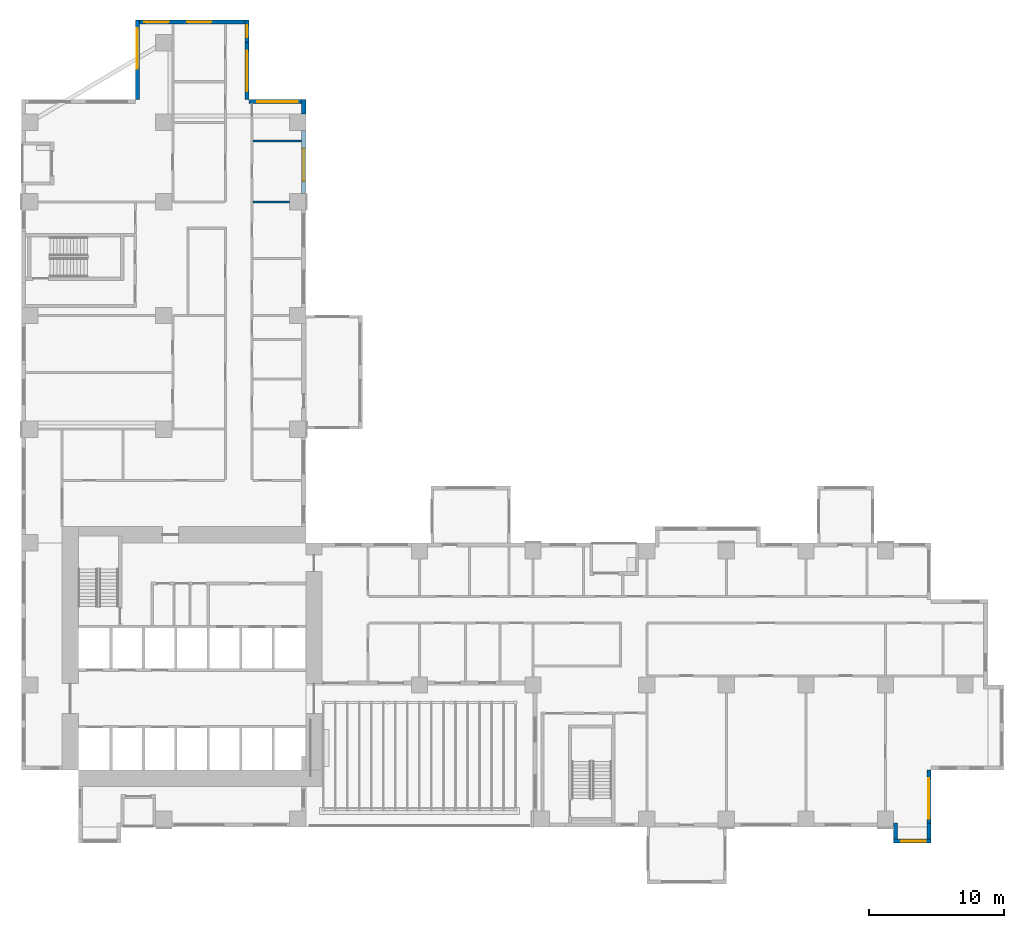
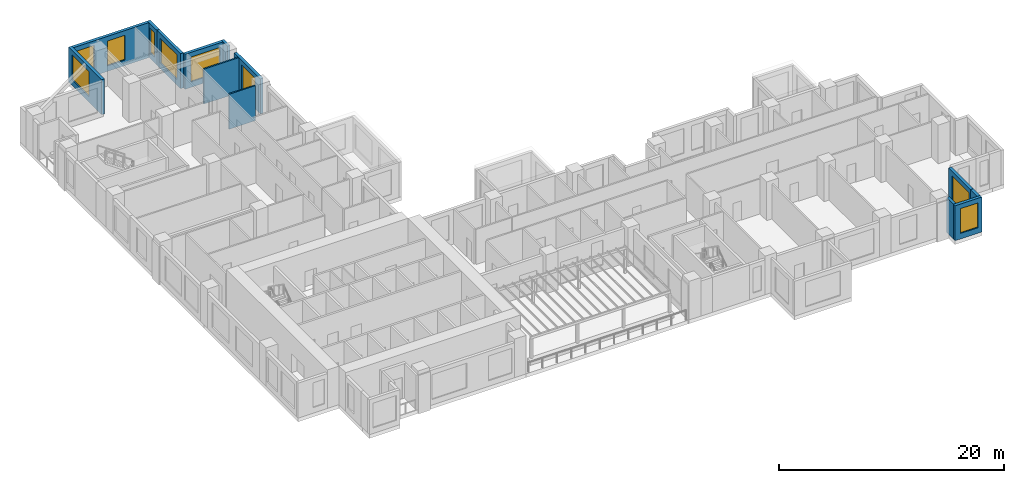
# One storey, part 10 of 16: 13 walls, 9 windows, 9 openings.
"""IFC4 building model written with IfcOpenShell, lengths in metres."""

from ifc_helpers import new_model, si_unit, direction, frame, frame_2d, origin, place, context, subcontext, project, spatial, rectangle, extrude, source, transform, mapped, material, layer, layer_set, type_object, element, fill, save


model = new_model("IFC4")

# Units and contexts
model_context = context("Model", 3, precision=1e-05, world=origin(), true_north=direction((0.0, 1.0)))
body_context = subcontext(model_context, "Body", "Model", "MODEL_VIEW")
ifc_project = project(units=[si_unit("LENGTHUNIT", "METRE"), si_unit("AREAUNIT", "SQUARE_METRE"), si_unit("VOLUMEUNIT", "CUBIC_METRE"), si_unit("PLANEANGLEUNIT", "RADIAN"), si_unit("MASSUNIT", "GRAM", prefix="KILO")], contexts=[model_context])

# Site, building, storey
site_placement = place(None, origin())
site = spatial("IfcSite", under=ifc_project, at=site_placement, CompositionType="ELEMENT")
building_placement = place(site_placement, origin())
building = spatial("IfcBuilding", under=site, at=building_placement, Name="Aurelian Terraces", CompositionType="ELEMENT")
storey_placement = place(building_placement, frame((0.0, 0.0, 95.1)))
storey = spatial("IfcBuildingStorey", under=building, at=storey_placement, Name="L20", CompositionType="ELEMENT", Elevation=95.1)

# Wall, opening, window
ifc_material_1 = material(Name="Terracotta rainscreen cladding", Category="masonry")
ifc_layer_1 = layer(ifc_material_1, 0.3)
ifc_layer_set_1 = layer_set([ifc_layer_1], Name="EW-300")
wall_type_1 = type_object("IfcWallType", Name="EW-300", PredefinedType="STANDARD", material=ifc_layer_set_1)
shared_shape_1 = source(origin(), body_context, "Body", "SweptSolid", [
    extrude(rectangle(XDim=4.68, YDim=0.3, at=frame_2d((2.34, 0.0))), origin(), (0.0, 0.0, 1.0), 3.8),
])
wall_1_placement = place(storey_placement, frame((20.85, 46.8, 0.0), z_axis=(0.0, 0.0, 1.0), x_axis=(0.0, 1.0, 0.0)))
wall_1 = element("IfcWall", 1, at=wall_1_placement, inside=storey, type_object=wall_type_1, Name="External wall L20 F12.28", PredefinedType="STANDARD", context=body_context, shape_type="MappedRepresentation", body=[
    mapped(shared_shape_1, transform((0.0, 0.0, 0.0), scale=1.0)),
])
shared_shape_2 = source(origin(), body_context, "Body", "SweptSolid", [
    extrude(rectangle(XDim=2.4, YDim=2.7, at=frame_2d((1.2, 1.35))), frame((0.0, 0.16, 0.0), z_axis=(0.0, -1.0, 0.0), x_axis=(1.0, 0.0, 0.0)), (0.0, 0.0, 1.0), 0.32),
])
opening_1_placement = place(wall_1_placement, frame((0.9365, 0.0, 0.6)))
opening_1 = element("IfcOpeningElement", 2, at=opening_1_placement, cuts=wall_1, Name="Opening W2427", PredefinedType="OPENING", context=body_context, shape_type="MappedRepresentation", body=[
    mapped(shared_shape_2, transform((0.0, 0.0, 0.0), scale=1.0)),
])
ifc_material_2 = material(Name="Clear glazing", Category="glass")
window_type_1 = type_object("IfcWindowType", Name="W-2400x2700", PartitioningType="SINGLE_PANEL", PredefinedType="WINDOW", material=ifc_material_2)
shared_shape_3 = source(origin(), body_context, "Body", "SweptSolid", [
    extrude(rectangle(XDim=2.4, YDim=2.7, at=frame_2d((1.2, 1.35))), frame((0.0, 0.03, 0.0), z_axis=(0.0, -1.0, 0.0), x_axis=(1.0, 0.0, 0.0)), (0.0, 0.0, 1.0), 0.06),
])
window_1_placement = place(opening_1_placement, origin())
window_1 = element("IfcWindow", 3, at=window_1_placement, inside=storey, type_object=window_type_1, Name="Window L20 L20-F12-28-0", OverallHeight=2.7, OverallWidth=2.4, PartitioningType="SINGLE_PANEL", PredefinedType="WINDOW", context=body_context, shape_type="MappedRepresentation", body=[
    mapped(shared_shape_3, transform((0.0, 0.0, 0.0), scale=1.0)),
])
fill(opening_1, window_1)

shared_shape_4 = source(origin(), body_context, "Body", "SweptSolid", [
    extrude(rectangle(XDim=4.2, YDim=0.3, at=frame_2d((2.1, 0.0))), origin(), (0.0, 0.0, 1.0), 3.8),
])
wall_2_placement = place(storey_placement, frame((67.05, 0.0, 0.0), z_axis=(0.0, 0.0, 1.0), x_axis=(0.0, 1.0, 0.0)))
wall_2 = element("IfcWall", 4, at=wall_2_placement, inside=storey, type_object=wall_type_1, Name="External wall L20 F06.14", PredefinedType="STANDARD", context=body_context, shape_type="MappedRepresentation", body=[
    mapped(shared_shape_4, transform((0.0, 0.0, 0.0), scale=1.0)),
])
shared_shape_5 = source(origin(), body_context, "Body", "SweptSolid", [
    extrude(rectangle(XDim=3.0, YDim=2.7, at=frame_2d((1.5, 1.35))), frame((0.0, 0.16, 0.0), z_axis=(0.0, -1.0, 0.0), x_axis=(1.0, 0.0, 0.0)), (0.0, 0.0, 1.0), 0.32),
])
opening_2_placement = place(wall_2_placement, frame((0.6, 0.0, 0.6)))
opening_2 = element("IfcOpeningElement", 5, at=opening_2_placement, cuts=wall_2, Name="Opening W3027", PredefinedType="OPENING", context=body_context, shape_type="MappedRepresentation", body=[
    mapped(shared_shape_5, transform((0.0, 0.0, 0.0), scale=1.0)),
])
window_type_2 = type_object("IfcWindowType", Name="W-3000x2700", PartitioningType="SINGLE_PANEL", PredefinedType="WINDOW", material=ifc_material_2)
shared_shape_6 = source(origin(), body_context, "Body", "SweptSolid", [
    extrude(rectangle(XDim=3.0, YDim=2.7, at=frame_2d((1.5, 1.35))), frame((0.0, 0.03, 0.0), z_axis=(0.0, -1.0, 0.0), x_axis=(1.0, 0.0, 0.0)), (0.0, 0.0, 1.0), 0.06),
])
window_2_placement = place(opening_2_placement, origin())
window_2 = element("IfcWindow", 6, at=window_2_placement, inside=storey, type_object=window_type_2, Name="Window L20 L20-F06-14-0", OverallHeight=2.7, OverallWidth=3.0, PartitioningType="SINGLE_PANEL", PredefinedType="WINDOW", context=body_context, shape_type="MappedRepresentation", body=[
    mapped(shared_shape_6, transform((0.0, 0.0, 0.0), scale=1.0)),
])
fill(opening_2, window_2)

wall_3_placement = place(storey_placement, frame((21.0, 53.61, 0.0), z_axis=(0.0, 0.0, 1.0), x_axis=(-1.0, 0.0, 0.0)))
wall_3 = element("IfcWall", 7, at=wall_3_placement, inside=storey, type_object=wall_type_1, Name="External wall L20 F13.30", PredefinedType="STANDARD", context=body_context, shape_type="MappedRepresentation", body=[
    mapped(shared_shape_4, transform((0.0, 0.0, 0.0), scale=1.0)),
])
opening_3_placement = place(wall_3_placement, frame((0.6, 0.0, 0.6)))
opening_3 = element("IfcOpeningElement", 8, at=opening_3_placement, cuts=wall_3, Name="Opening W3027", PredefinedType="OPENING", context=body_context, shape_type="MappedRepresentation", body=[
    mapped(shared_shape_5, transform((0.0, 0.0, 0.0), scale=1.0)),
])
window_3_placement = place(opening_3_placement, origin())
window_3 = element("IfcWindow", 9, at=window_3_placement, inside=storey, type_object=window_type_2, Name="Window L20 L20-F13-30-0", OverallHeight=2.7, OverallWidth=3.0, PartitioningType="SINGLE_PANEL", PredefinedType="WINDOW", context=body_context, shape_type="MappedRepresentation", body=[
    mapped(shared_shape_6, transform((0.0, 0.0, 0.0), scale=1.0)),
])
fill(opening_3, window_3)

wall_4_placement = place(storey_placement, frame((16.65, 53.76, 0.0), z_axis=(0.0, 0.0, 1.0), x_axis=(0.0, 1.0, 0.0)))
wall_4 = element("IfcWall", 10, at=wall_4_placement, inside=storey, type_object=wall_type_1, Name="External wall L20 F14.31", PredefinedType="STANDARD", context=body_context, shape_type="MappedRepresentation", body=[
    mapped(shared_shape_4, transform((0.0, 0.0, 0.0), scale=1.0)),
])
opening_4_placement = place(wall_4_placement, frame((0.6, 0.0, 0.6)))
opening_4 = element("IfcOpeningElement", 11, at=opening_4_placement, cuts=wall_4, Name="Opening W3027", PredefinedType="OPENING", context=body_context, shape_type="MappedRepresentation", body=[
    mapped(shared_shape_5, transform((0.0, 0.0, 0.0), scale=1.0)),
])
window_4_placement = place(opening_4_placement, origin())
window_4 = element("IfcWindow", 12, at=window_4_placement, inside=storey, type_object=window_type_2, Name="Window L20 L20-F14-31-0", OverallHeight=2.7, OverallWidth=3.0, PartitioningType="SINGLE_PANEL", PredefinedType="WINDOW", context=body_context, shape_type="MappedRepresentation", body=[
    mapped(shared_shape_6, transform((0.0, 0.0, 0.0), scale=1.0)),
])
fill(opening_4, window_4)

shared_shape_7 = source(origin(), body_context, "Body", "SweptSolid", [
    extrude(rectangle(XDim=2.76, YDim=0.3, at=frame_2d((1.38, 0.0))), origin(), (0.0, 0.0, 1.0), 3.8),
])
wall_5_placement = place(storey_placement, frame((64.44, -1.05, 0.0), z_axis=(0.0, 0.0, 1.0), x_axis=(1.0, 0.0, 0.0)))
wall_5 = element("IfcWall", 13, at=wall_5_placement, inside=storey, type_object=wall_type_1, Name="Bay wall L20 F05.13", PredefinedType="STANDARD", context=body_context, shape_type="MappedRepresentation", body=[
    mapped(shared_shape_7, transform((0.0, 0.0, 0.0), scale=1.0)),
])
shared_shape_8 = source(origin(), body_context, "Body", "SweptSolid", [
    extrude(rectangle(XDim=1.8, YDim=2.7, at=frame_2d((0.9, 1.35))), frame((0.0, 0.16, 0.0), z_axis=(0.0, -1.0, 0.0), x_axis=(1.0, 0.0, 0.0)), (0.0, 0.0, 1.0), 0.32),
])
opening_5_placement = place(wall_5_placement, frame((0.58, 0.0, 0.6)))
opening_5 = element("IfcOpeningElement", 14, at=opening_5_placement, cuts=wall_5, Name="Opening W1827", PredefinedType="OPENING", context=body_context, shape_type="MappedRepresentation", body=[
    mapped(shared_shape_8, transform((0.0, 0.0, 0.0), scale=1.0)),
])
window_type_3 = type_object("IfcWindowType", Name="W-1800x2700", PartitioningType="SINGLE_PANEL", PredefinedType="WINDOW", material=ifc_material_2)
shared_shape_9 = source(origin(), body_context, "Body", "SweptSolid", [
    extrude(rectangle(XDim=1.8, YDim=2.7, at=frame_2d((0.9, 1.35))), frame((0.0, 0.03, 0.0), z_axis=(0.0, -1.0, 0.0), x_axis=(1.0, 0.0, 0.0)), (0.0, 0.0, 1.0), 0.06),
])
window_5_placement = place(opening_5_placement, origin())
window_5 = element("IfcWindow", 15, at=window_5_placement, inside=storey, type_object=window_type_3, Name="Window L20 L20-F05-13-0", OverallHeight=2.7, OverallWidth=1.8, PartitioningType="SINGLE_PANEL", PredefinedType="WINDOW", context=body_context, shape_type="MappedRepresentation", body=[
    mapped(shared_shape_9, transform((0.0, 0.0, 0.0), scale=1.0)),
])
fill(opening_5, window_5)

# Walls
shared_shape_10 = source(origin(), body_context, "Body", "SweptSolid", [
    extrude(rectangle(XDim=1.2, YDim=0.3, at=frame_2d((0.6, 0.0))), origin(), (0.0, 0.0, 1.0), 3.8),
])
for number, where, z_axis, x_axis, name in (
    (16, (64.59, 0.3, 0.0), (0.0, 0.0, 1.0), (0.0, -1.0, 0.0), "Bay return L20 F05.13.1"),
    (17, (67.05, 0.3, 0.0), (0.0, 0.0, 1.0), (0.0, -1.0, 0.0), "Bay return L20 F05.13.2"),
):
    element("IfcWall", number, at=place(storey_placement, frame(where, z_axis=z_axis, x_axis=x_axis)), inside=storey, type_object=wall_type_1, Name=name, PredefinedType="STANDARD", context=body_context, shape_type="MappedRepresentation", body=[
        mapped(shared_shape_10, transform((0.0, 0.0, 0.0), scale=1.0)),
    ])

# Wall, opening, window
shared_shape_11 = source(origin(), body_context, "Body", "SweptSolid", [
    extrude(rectangle(XDim=5.88, YDim=0.3, at=frame_2d((2.94, 0.0))), origin(), (0.0, 0.0, 1.0), 3.8),
])
wall_6_placement = place(storey_placement, frame((8.55, 59.64, 0.0), z_axis=(0.0, 0.0, 1.0), x_axis=(0.0, -1.0, 0.0)))
wall_6 = element("IfcWall", 18, at=wall_6_placement, inside=storey, type_object=wall_type_1, Name="External wall L20 F16.34", PredefinedType="STANDARD", context=body_context, shape_type="MappedRepresentation", body=[
    mapped(shared_shape_11, transform((0.0, 0.0, 0.0), scale=1.0)),
])
opening_6_placement = place(wall_6_placement, frame((0.6, 0.0, 0.6)))
opening_6 = element("IfcOpeningElement", 19, at=opening_6_placement, cuts=wall_6, Name="Opening W3027", PredefinedType="OPENING", context=body_context, shape_type="MappedRepresentation", body=[
    mapped(shared_shape_5, transform((0.0, 0.0, 0.0), scale=1.0)),
])
window_6_placement = place(opening_6_placement, origin())
window_6 = element("IfcWindow", 20, at=window_6_placement, inside=storey, type_object=window_type_2, Name="Window L20 L20-F16-34-0", OverallHeight=2.7, OverallWidth=3.0, PartitioningType="SINGLE_PANEL", PredefinedType="WINDOW", context=body_context, shape_type="MappedRepresentation", body=[
    mapped(shared_shape_6, transform((0.0, 0.0, 0.0), scale=1.0)),
])
fill(opening_6, window_6)

shared_shape_12 = source(origin(), body_context, "Body", "SweptSolid", [
    extrude(rectangle(XDim=1.68, YDim=0.3, at=frame_2d((0.84, 0.0))), origin(), (0.0, 0.0, 1.0), 3.8),
])
wall_7_placement = place(storey_placement, frame((16.65, 57.96, 0.0), z_axis=(0.0, 0.0, 1.0), x_axis=(0.0, 1.0, 0.0)))
wall_7 = element("IfcWall", 21, at=wall_7_placement, inside=storey, type_object=wall_type_1, Name="External wall L20 F14.32", PredefinedType="STANDARD", context=body_context, shape_type="MappedRepresentation", body=[
    mapped(shared_shape_12, transform((0.0, 0.0, 0.0), scale=1.0)),
])
shared_shape_13 = source(origin(), body_context, "Body", "SweptSolid", [
    extrude(rectangle(XDim=0.9, YDim=2.7, at=frame_2d((0.45, 1.35))), frame((0.0, 0.16, 0.0), z_axis=(0.0, -1.0, 0.0), x_axis=(1.0, 0.0, 0.0)), (0.0, 0.0, 1.0), 0.32),
])
opening_7_placement = place(wall_7_placement, frame((0.39, 0.0, 0.6)))
opening_7 = element("IfcOpeningElement", 22, at=opening_7_placement, cuts=wall_7, Name="Opening W0927", PredefinedType="OPENING", context=body_context, shape_type="MappedRepresentation", body=[
    mapped(shared_shape_13, transform((0.0, 0.0, 0.0), scale=1.0)),
])
window_type_4 = type_object("IfcWindowType", Name="W-900x2700", PartitioningType="SINGLE_PANEL", PredefinedType="WINDOW", material=ifc_material_2)
shared_shape_14 = source(origin(), body_context, "Body", "SweptSolid", [
    extrude(rectangle(XDim=0.9, YDim=2.7, at=frame_2d((0.45, 1.35))), frame((0.0, 0.03, 0.0), z_axis=(0.0, -1.0, 0.0), x_axis=(1.0, 0.0, 0.0)), (0.0, 0.0, 1.0), 0.06),
])
window_7_placement = place(opening_7_placement, origin())
window_7 = element("IfcWindow", 23, at=window_7_placement, inside=storey, type_object=window_type_4, Name="Window L20 L20-F14-32-P0", OverallHeight=2.7, OverallWidth=0.9, PartitioningType="SINGLE_PANEL", PredefinedType="WINDOW", context=body_context, shape_type="MappedRepresentation", body=[
    mapped(shared_shape_14, transform((0.0, 0.0, 0.0), scale=1.0)),
])
fill(opening_7, window_7)

# Wall
shared_shape_15 = source(origin(), body_context, "Body", "SweptSolid", [
    extrude(rectangle(XDim=1.08, YDim=0.3, at=frame_2d((0.54, 0.0))), origin(), (0.0, 0.0, 1.0), 3.8),
])
wall_8_placement = place(storey_placement, frame((20.85, 52.68, 0.0), z_axis=(0.0, 0.0, 1.0), x_axis=(0.0, 1.0, 0.0)))
element("IfcWall", 24, at=wall_8_placement, inside=storey, type_object=wall_type_1, Name="External wall L20 F12.29", PredefinedType="STANDARD", context=body_context, shape_type="MappedRepresentation", body=[
    mapped(shared_shape_15, transform((0.0, 0.0, 0.0), scale=1.0)),
])

# Wall, openings, windows
shared_shape_16 = source(origin(), body_context, "Body", "SweptSolid", [
    extrude(rectangle(XDim=8.4, YDim=0.3, at=frame_2d((4.2, 0.0))), origin(), (0.0, 0.0, 1.0), 3.8),
])
wall_9_placement = place(storey_placement, frame((16.8, 59.49, 0.0), z_axis=(0.0, 0.0, 1.0), x_axis=(-1.0, 0.0, 0.0)))
wall_9 = element("IfcWall", 25, at=wall_9_placement, inside=storey, type_object=wall_type_1, Name="External wall L20 F15.33", PredefinedType="STANDARD", context=body_context, shape_type="MappedRepresentation", body=[
    mapped(shared_shape_16, transform((0.0, 0.0, 0.0), scale=1.0)),
])
opening_8_placement = place(wall_9_placement, frame((2.775, 0.0, 0.6)))
opening_8 = element("IfcOpeningElement", 26, at=opening_8_placement, cuts=wall_9, Name="Opening W1827", PredefinedType="OPENING", context=body_context, shape_type="MappedRepresentation", body=[
    mapped(shared_shape_8, transform((0.0, 0.0, 0.0), scale=1.0)),
])
opening_9_placement = place(wall_9_placement, frame((5.925, 0.0, 0.6)))
opening_9 = element("IfcOpeningElement", 27, at=opening_9_placement, cuts=wall_9, Name="Opening W1827", PredefinedType="OPENING", context=body_context, shape_type="MappedRepresentation", body=[
    mapped(shared_shape_8, transform((0.0, 0.0, 0.0), scale=1.0)),
])
window_8_placement = place(opening_8_placement, origin())
window_8 = element("IfcWindow", 28, at=window_8_placement, inside=storey, type_object=window_type_3, Name="Window L20 L20-F15-33-1", OverallHeight=2.7, OverallWidth=1.8, PartitioningType="SINGLE_PANEL", PredefinedType="WINDOW", context=body_context, shape_type="MappedRepresentation", body=[
    mapped(shared_shape_9, transform((0.0, 0.0, 0.0), scale=1.0)),
])
fill(opening_8, window_8)
window_9_placement = place(opening_9_placement, origin())
window_9 = element("IfcWindow", 29, at=window_9_placement, inside=storey, type_object=window_type_3, Name="Window L20 L20-F15-33-2", OverallHeight=2.7, OverallWidth=1.8, PartitioningType="SINGLE_PANEL", PredefinedType="WINDOW", context=body_context, shape_type="MappedRepresentation", body=[
    mapped(shared_shape_9, transform((0.0, 0.0, 0.0), scale=1.0)),
])
fill(opening_9, window_9)

# Walls
ifc_material_3 = material(Name="Gypsum board on steel studs", Category="steel")
ifc_layer_2 = layer(ifc_material_3, 0.15)
ifc_layer_set_2 = layer_set([ifc_layer_2], Name="Partition 150")
wall_type_2 = type_object("IfcWallType", Name="Partition 150", PredefinedType="PARTITIONING", material=ifc_layer_set_2)
shared_shape_17 = source(origin(), body_context, "Body", "SweptSolid", [
    extrude(rectangle(XDim=3.6, YDim=0.15, at=frame_2d((1.8, 0.0))), origin(), (0.0, 0.0, 1.0), 3.8),
])
wall_10_placement = place(storey_placement, frame((17.1, 50.7075, 0.0), z_axis=(0.0, 0.0, 1.0), x_axis=(1.0, 0.0, 0.0)))
element("IfcWall", 30, at=wall_10_placement, inside=storey, type_object=wall_type_2, Name="Partition", PredefinedType="PARTITIONING", context=body_context, shape_type="MappedRepresentation", body=[
    mapped(shared_shape_17, transform((0.0, 0.0, 0.0), scale=1.0)),
])
shared_shape_18 = source(origin(), body_context, "Body", "SweptSolid", [
    extrude(rectangle(XDim=2.701, YDim=0.15, at=frame_2d((1.3505, 0.0))), origin(), (0.0, 0.0, 1.0), 3.8),
])
wall_11_placement = place(storey_placement, frame((19.801, 46.2, 0.0), z_axis=(0.0, 0.0, 1.0), x_axis=(-1.0, 0.0, 0.0)))
element("IfcWall", 31, at=wall_11_placement, inside=storey, type_object=wall_type_2, Name="Partition", PredefinedType="PARTITIONING", context=body_context, shape_type="MappedRepresentation", body=[
    mapped(shared_shape_18, transform((0.0, 0.0, 0.0), scale=1.0)),
])

save(model, "model.ifc")
